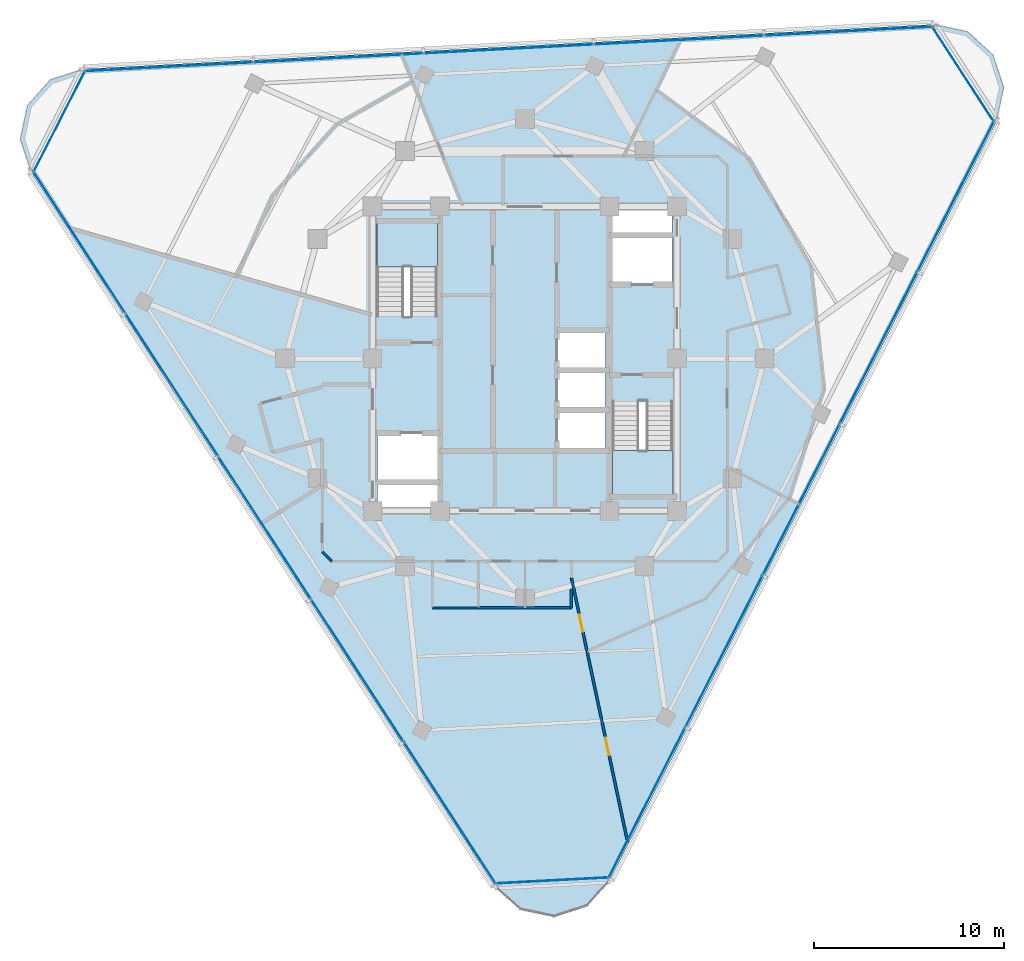
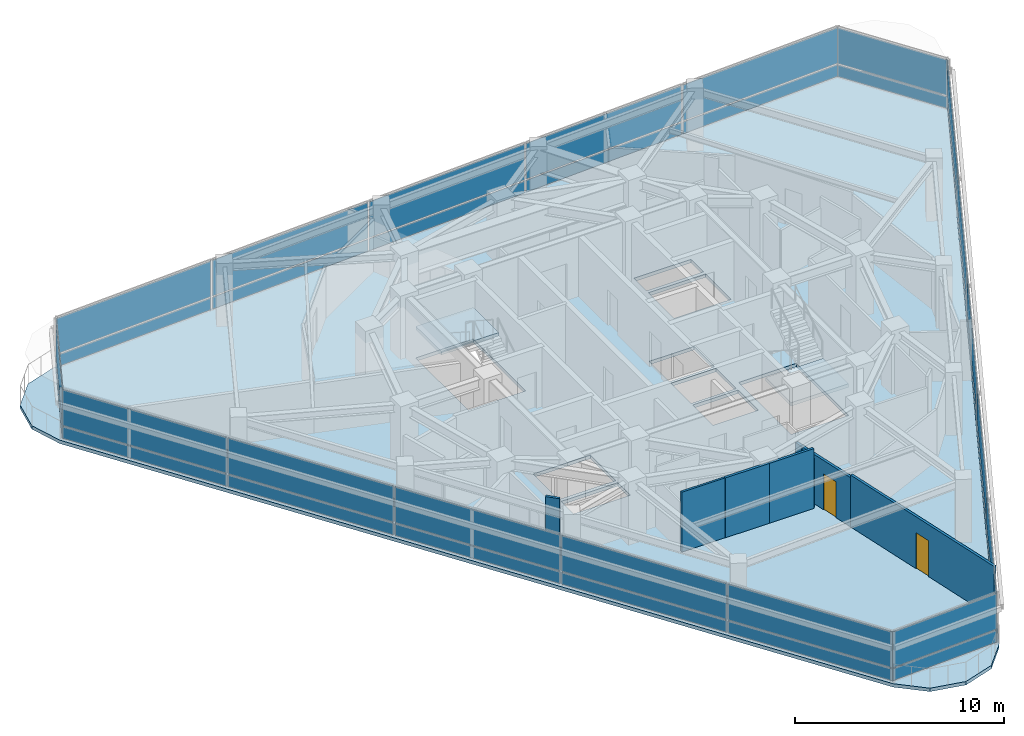
# One storey, part 7 of 15: 36 plates, 7 walls, 3 slabs, 2 doors, 2 openings, 8 elements without a shape of their own.
"""IFC4 building model written with IfcOpenShell, lengths in metres."""

from ifc_helpers import new_model, si_unit, direction, frame, frame_2d, origin, origin_2d, place, context, subcontext, project, spatial, polyline, rectangle, outline, extrude, material, layer, layer_set, type_object, element, fill, aggregate, save


model = new_model("IFC4")

# Units and contexts
model_context = context("Model", 3, precision=1e-05, world=origin(), true_north=direction((0.0, 1.0)))
body_context = subcontext(model_context, "Body", "Model", "MODEL_VIEW")
ifc_project = project(units=[si_unit("LENGTHUNIT", "METRE"), si_unit("AREAUNIT", "SQUARE_METRE"), si_unit("VOLUMEUNIT", "CUBIC_METRE"), si_unit("PLANEANGLEUNIT", "RADIAN"), si_unit("MASSUNIT", "GRAM", prefix="KILO")], contexts=[model_context])

# Site, building, storey
site_placement = place(None, origin())
site = spatial("IfcSite", under=ifc_project, at=site_placement, CompositionType="ELEMENT")
building_placement = place(site_placement, origin())
building = spatial("IfcBuilding", under=site, at=building_placement, Name="Terralouvre Media Tower", CompositionType="ELEMENT")
storey_placement = place(building_placement, frame((0.0, 0.0, 267.0)))
storey = spatial("IfcBuildingStorey", under=building, at=storey_placement, Name="L69", CompositionType="ELEMENT", Elevation=267.0)

# Slab
ifc_material_1 = material(Name="Concrete C40/50", Category="concrete")
ifc_layer_1 = layer(ifc_material_1, 0.199951171875, Name="Composite Tower Floor Slab S-TYP200")
ifc_layer_set_1 = layer_set([ifc_layer_1], Name="Concrete C40/50")
slab_type_1 = type_object("IfcSlabType", Name="Composite Tower Floor Slab S-TYP200", PredefinedType="FLOOR", material=ifc_layer_set_1)
slab_1_placement = place(storey_placement, frame((0.0, 0.0, -0.199951171875), z_axis=(0.0, 0.0, 1.0), x_axis=(0.45399049974, 0.891006524188, 0.0)))
element("IfcSlab", 1, at=slab_1_placement, inside=storey, type_object=slab_type_1, Name="L69 Structural Floor Slab", PredefinedType="FLOOR", context=body_context, shape_type="SweptSolid", body=[
    extrude(outline(polyline([(-25.43115234375, -11.1826171875), (-25.89990234375, -12.9326171875), (-25.43115234375, -14.6826171875), (-24.14990234375, -15.963623046875), (-22.39990234375, -16.4326171875), (22.39990234375, -16.4326171875), (24.14990234375, -15.963623046875), (25.43115234375, -14.6826171875), (25.89990234375, -12.9326171875), (25.43115234375, -11.1826171875), (3.031005859375, 27.615234375), (1.75, 28.896484375), (0.0, 29.365234375), (-1.75, 28.896484375), (-3.031005859375, 27.615234375), (-25.43115234375, -11.1826171875)]), holes=[polyline([(-7.968994140625, 1.102294921875), (-9.0380859375, 0.5576171875), (-10.46826171875, 3.3642578125), (-9.399169921875, 3.908935546875), (-7.968994140625, 1.102294921875)]), polyline([(-5.60791015625, 2.305419921875), (-7.790771484375, 1.193115234375), (-9.220947265625, 3.999755859375), (-7.037841796875, 5.112060546875), (-5.60791015625, 2.305419921875)]), polyline([(-4.38037109375, -7.39453125), (0.088134765625, -5.117919921875), (1.53173828125, -7.951171875), (-2.936767578125, -10.22802734375), (-4.38037109375, -7.39453125)]), polyline([(-0.547607421875, -5.048828125), (-2.276123046875, -5.9296875), (-3.4111328125, -3.7021484375), (-1.6826171875, -2.8212890625), (-0.547607421875, -5.048828125)]), polyline([(1.323486328125, -4.095458984375), (-0.405029296875, -4.976318359375), (-1.5400390625, -2.748779296875), (0.188720703125, -1.867919921875), (1.323486328125, -4.095458984375)]), polyline([(3.194580078125, -3.14208984375), (1.466064453125, -4.02294921875), (0.3310546875, -1.79541015625), (2.059814453125, -0.91455078125), (3.194580078125, -3.14208984375)]), polyline([(4.38037109375, 7.39453125), (-0.088134765625, 5.117919921875), (-1.53173828125, 7.951171875), (2.936767578125, 10.22802734375), (4.38037109375, 7.39453125)]), polyline([(7.037841796875, -5.112060546875), (5.60791015625, -2.305419921875), (7.790771484375, -1.193115234375), (9.220947265625, -3.999755859375), (7.037841796875, -5.112060546875)]), polyline([(9.399169921875, -3.908935546875), (7.968994140625, -1.102294921875), (9.0380859375, -0.5576171875), (10.46826171875, -3.3642578125), (9.399169921875, -3.908935546875)])]), origin(), (0.0, 0.0, 1.0), 0.199951171875),
])

# Stair, slab
ifc_material_2 = material(Name="Concrete C45/55", Category="concrete")
stair_type_1 = type_object("IfcStairType", Name="Dogleg Stair Assembly ST-01", PredefinedType="HALF_TURN_STAIR", material=ifc_material_2)
stair_1_placement = place(storey_placement, origin())
stair_1 = element("IfcStair", 2, at=stair_1_placement, inside=storey, type_object=stair_type_1, Name="L69 Core Pressurised Exit Stair ST-01", PredefinedType="HALF_TURN_STAIR")
ifc_material_3 = material(Name="Concrete C45/55", Category="concrete")
ifc_layer_2 = layer(ifc_material_3, 0.199951171875, Name="Reinforced Concrete Stair Half-Landing SL-LD1")
ifc_layer_set_2 = layer_set([ifc_layer_2], Name="Concrete C45/55")
slab_type_2 = type_object("IfcSlabType", Name="Reinforced Concrete Stair Half-Landing SL-LD1", PredefinedType="LANDING", material=ifc_layer_set_2)
slab_2_placement = place(storey_placement, frame((0.0, 0.0, 1.64990234375)))
slab_2 = element("IfcSlab", 3, at=slab_2_placement, type_object=slab_type_2, Name="ST-01 landing 1", PredefinedType="LANDING", context=body_context, shape_type="SweptSolid", body=[
    extrude(outline(polyline([(-4.60009765625, 4.820068359375), (-4.60009765625, 7.260009765625), (-7.780029296875, 7.260009765625), (-7.780029296875, 4.820068359375), (-4.60009765625, 4.820068359375)])), origin(), (0.0, 0.0, 1.0), 0.2001953125),
])
aggregate(stair_1, [slab_2])

ifc_material_4 = material(Name="Concrete C45/55", Category="concrete")
stair_type_2 = type_object("IfcStairType", Name="Dogleg Stair Assembly ST-02", PredefinedType="HALF_TURN_STAIR", material=ifc_material_4)
stair_2_placement = place(storey_placement, origin())
stair_2 = element("IfcStair", 4, at=stair_2_placement, inside=storey, type_object=stair_type_2, Name="L69 Core Pressurised Exit Stair ST-02", PredefinedType="HALF_TURN_STAIR")
slab_3_placement = place(storey_placement, frame((0.0, 0.0, 1.64990234375)))
slab_3 = element("IfcSlab", 5, at=slab_3_placement, type_object=slab_type_2, Name="ST-02 landing 1", PredefinedType="LANDING", context=body_context, shape_type="SweptSolid", body=[
    extrude(outline(polyline([(4.60009765625, -4.820068359375), (4.60009765625, -7.260009765625), (7.780029296875, -7.260009765625), (7.780029296875, -4.820068359375), (4.60009765625, -4.820068359375)])), origin(), (0.0, 0.0, 1.0), 0.2001953125),
])
aggregate(stair_2, [slab_3])

# Curtain wall, plates
ifc_material_5 = material(Name="Low-iron laminated double glazing with solar-control coating", Category="glass")
ifc_layer_3 = layer(ifc_material_5, 0.1650390625, Name="Rounded Wind-Corner Curved Glazing CW-04")
ifc_layer_set_3 = layer_set([ifc_layer_3], Name="Low-iron laminated double glazing with solar-control coating")
curtain_wall_type_1 = type_object("IfcCurtainWallType", Name="Rounded Wind-Corner Curved Glazing CW-04", PredefinedType="NOTDEFINED", material=ifc_layer_set_3)
curtain_wall_1_placement = place(storey_placement, origin())
curtain_wall_1 = element("IfcCurtainWall", 6, at=curtain_wall_1_placement, inside=storey, type_object=curtain_wall_type_1, Name="L69 Rounded Wind-Corner Curtain Wall C0", PredefinedType="NOTDEFINED")
ifc_material_6 = material(Name="Low-iron laminated double glazing with solar-control coating", Category="glass")
ifc_layer_4 = layer(ifc_material_6, 0.0400390625, Name="Rounded Corner Laminated Vision Panel CWP-03")
ifc_layer_set_4 = layer_set([ifc_layer_4], Name="Low-iron laminated double glazing with solar-control coating")
plate_type_1 = type_object("IfcPlateType", Name="Rounded Corner Laminated Vision Panel CWP-03", PredefinedType="CURTAIN_PANEL", material=ifc_layer_set_4)
plate_1_placement = place(storey_placement, frame((1.43798828125, -27.437744140625, 0.074951171875), z_axis=(0.0, 0.0, 1.0), x_axis=(0.998629533744, 0.05233597552, 0.0)))
plate_1 = element("IfcPlate", 7, at=plate_1_placement, type_object=plate_type_1, Name="CW-04 panel 1.1", PredefinedType="CURTAIN_PANEL", context=body_context, shape_type="SweptSolid", body=[
    extrude(rectangle(XDim=5.912109375, YDim=0.035888671875, at=origin_2d()), origin(), (0.0, 0.0, 1.0), 0.6875),
])
plate_2_placement = place(storey_placement, frame((1.43798828125, -27.437744140625, 0.837646484375), z_axis=(0.0, 0.0, 1.0), x_axis=(0.998629533744, 0.05233597552, 0.0)))
plate_2 = element("IfcPlate", 8, at=plate_2_placement, type_object=plate_type_1, Name="CW-04 panel 1.2", PredefinedType="CURTAIN_PANEL", context=body_context, shape_type="SweptSolid", body=[
    extrude(rectangle(XDim=5.912109375, YDim=0.035888671875, at=origin_2d()), origin(), (0.0, 0.0, 1.0), 2.08740234375),
])
aggregate(curtain_wall_1, [plate_1, plate_2])

curtain_wall_2_placement = place(storey_placement, origin())
curtain_wall_2 = element("IfcCurtainWall", 9, at=curtain_wall_2_placement, inside=storey, type_object=curtain_wall_type_1, Name="L69 Rounded Wind-Corner Curtain Wall C1", PredefinedType="NOTDEFINED")
plate_3_placement = place(storey_placement, frame((23.042724609375, 14.964111328125, 0.074951171875), z_axis=(0.0, 0.0, 1.0), x_axis=(-0.544639197097, 0.838670462688, 0.0)))
plate_3 = element("IfcPlate", 10, at=plate_3_placement, type_object=plate_type_1, Name="CW-04 panel 1.1", PredefinedType="CURTAIN_PANEL", context=body_context, shape_type="SweptSolid", body=[
    extrude(rectangle(XDim=5.912109375, YDim=0.035888671875, at=origin_2d()), origin(), (0.0, 0.0, 1.0), 0.6875),
])
plate_4_placement = place(storey_placement, frame((23.042724609375, 14.964111328125, 0.837646484375), z_axis=(0.0, 0.0, 1.0), x_axis=(-0.544639197097, 0.838670462688, 0.0)))
plate_4 = element("IfcPlate", 11, at=plate_4_placement, type_object=plate_type_1, Name="CW-04 panel 1.2", PredefinedType="CURTAIN_PANEL", context=body_context, shape_type="SweptSolid", body=[
    extrude(rectangle(XDim=5.912109375, YDim=0.035888671875, at=origin_2d()), origin(), (0.0, 0.0, 1.0), 2.08740234375),
])
aggregate(curtain_wall_2, [plate_3, plate_4])

curtain_wall_3_placement = place(storey_placement, origin())
curtain_wall_3 = element("IfcCurtainWall", 12, at=curtain_wall_3_placement, inside=storey, type_object=curtain_wall_type_1, Name="L69 Rounded Wind-Corner Curtain Wall C2", PredefinedType="NOTDEFINED")
plate_5_placement = place(storey_placement, frame((-24.480712890625, 12.4736328125, 0.074951171875), z_axis=(0.0, 0.0, 1.0), x_axis=(-0.453990349937, -0.891006600517, 0.0)))
plate_5 = element("IfcPlate", 13, at=plate_5_placement, type_object=plate_type_1, Name="CW-04 panel 1.1", PredefinedType="CURTAIN_PANEL", context=body_context, shape_type="SweptSolid", body=[
    extrude(rectangle(XDim=5.912109375, YDim=0.035888671875, at=origin_2d()), origin(), (0.0, 0.0, 1.0), 0.6875),
])
plate_6_placement = place(storey_placement, frame((-24.480712890625, 12.4736328125, 0.837646484375), z_axis=(0.0, 0.0, 1.0), x_axis=(-0.453990349937, -0.891006600517, 0.0)))
plate_6 = element("IfcPlate", 14, at=plate_6_placement, type_object=plate_type_1, Name="CW-04 panel 1.2", PredefinedType="CURTAIN_PANEL", context=body_context, shape_type="SweptSolid", body=[
    extrude(rectangle(XDim=5.912109375, YDim=0.035888671875, at=origin_2d()), origin(), (0.0, 0.0, 1.0), 2.08740234375),
])
aggregate(curtain_wall_3, [plate_5, plate_6])

ifc_material_7 = material(Name="Low-iron laminated double glazing with solar-control coating", Category="glass")
ifc_layer_5 = layer(ifc_material_7, 0.1650390625, Name="Upper Executive Tower Curtain Wall CW-05")
ifc_layer_set_5 = layer_set([ifc_layer_5], Name="Low-iron laminated double glazing with solar-control coating")
curtain_wall_type_2 = type_object("IfcCurtainWallType", Name="Upper Executive Tower Curtain Wall CW-05", PredefinedType="NOTDEFINED", material=ifc_layer_set_5)
curtain_wall_4_placement = place(storey_placement, origin())
curtain_wall_4 = element("IfcCurtainWall", 15, at=curtain_wall_4_placement, inside=storey, type_object=curtain_wall_type_2, Name="L69 Facade Curtain Wall F0", PredefinedType="NOTDEFINED")
ifc_material_8 = material(Name="Low-iron laminated double glazing with solar-control coating", Category="glass")
ifc_layer_6 = layer(ifc_material_8, 0.035888671875, Name="Vision Double-Glazed Unit CWP-01")
ifc_layer_set_6 = layer_set([ifc_layer_6], Name="Low-iron laminated double glazing with solar-control coating")
plate_type_2 = type_object("IfcPlateType", Name="Vision Double-Glazed Unit CWP-01", PredefinedType="CURTAIN_PANEL", material=ifc_layer_set_6)
plate_7_placement = place(storey_placement, frame((6.40771484375, -23.35595703125, 0.074951171875), z_axis=(0.0, 0.0, 1.0), x_axis=(0.45399044259, 0.891006553308, 0.0)))
plate_7 = element("IfcPlate", 16, at=plate_7_placement, type_object=plate_type_2, Name="CW-05 panel 1.1", PredefinedType="CURTAIN_PANEL", context=body_context, shape_type="SweptSolid", body=[
    extrude(rectangle(XDim=8.847412109375, YDim=0.035888671875, at=origin_2d()), origin(), (0.0, 0.0, 1.0), 0.6875),
])
plate_8_placement = place(storey_placement, frame((6.40771484375, -23.35595703125, 0.837646484375), z_axis=(0.0, 0.0, 1.0), x_axis=(0.45399044259, 0.891006553308, 0.0)))
plate_8 = element("IfcPlate", 17, at=plate_8_placement, type_object=plate_type_2, Name="CW-05 panel 1.2", PredefinedType="CURTAIN_PANEL", context=body_context, shape_type="SweptSolid", body=[
    extrude(rectangle(XDim=8.847412109375, YDim=0.035888671875, at=origin_2d()), origin(), (0.0, 0.0, 1.0), 2.08740234375),
])
plate_9_placement = place(storey_placement, frame((10.467041015625, -15.38916015625, 0.074951171875), z_axis=(0.0, 0.0, 1.0), x_axis=(0.45399044259, 0.891006553308, 0.0)))
plate_9 = element("IfcPlate", 18, at=plate_9_placement, type_object=plate_type_2, Name="CW-05 panel 2.1", PredefinedType="CURTAIN_PANEL", context=body_context, shape_type="SweptSolid", body=[
    extrude(rectangle(XDim=8.885009765625, YDim=0.035888671875, at=origin_2d()), origin(), (0.0, 0.0, 1.0), 0.6875),
])
plate_10_placement = place(storey_placement, frame((10.467041015625, -15.38916015625, 0.837646484375), z_axis=(0.0, 0.0, 1.0), x_axis=(0.45399044259, 0.891006553308, 0.0)))
plate_10 = element("IfcPlate", 19, at=plate_10_placement, type_object=plate_type_2, Name="CW-05 panel 2.2", PredefinedType="CURTAIN_PANEL", context=body_context, shape_type="SweptSolid", body=[
    extrude(rectangle(XDim=8.885009765625, YDim=0.035888671875, at=origin_2d()), origin(), (0.0, 0.0, 1.0), 2.08740234375),
])
plate_11_placement = place(storey_placement, frame((14.53466796875, -7.40576171875, 0.074951171875), z_axis=(0.0, 0.0, 1.0), x_axis=(0.45399044259, 0.891006553308, 0.0)))
plate_11 = element("IfcPlate", 20, at=plate_11_placement, type_object=plate_type_2, Name="CW-05 panel 3.1", PredefinedType="CURTAIN_PANEL", context=body_context, shape_type="SweptSolid", body=[
    extrude(rectangle(XDim=8.885009765625, YDim=0.035888671875, at=origin_2d()), origin(), (0.0, 0.0, 1.0), 0.6875),
])
plate_12_placement = place(storey_placement, frame((14.53466796875, -7.40576171875, 0.837646484375), z_axis=(0.0, 0.0, 1.0), x_axis=(0.45399044259, 0.891006553308, 0.0)))
plate_12 = element("IfcPlate", 21, at=plate_12_placement, type_object=plate_type_2, Name="CW-05 panel 3.2", PredefinedType="CURTAIN_PANEL", context=body_context, shape_type="SweptSolid", body=[
    extrude(rectangle(XDim=8.885009765625, YDim=0.035888671875, at=origin_2d()), origin(), (0.0, 0.0, 1.0), 2.08740234375),
])
plate_13_placement = place(storey_placement, frame((18.6025390625, 0.57763671875, 0.074951171875), z_axis=(0.0, 0.0, 1.0), x_axis=(0.45399044259, 0.891006553308, 0.0)))
plate_13 = element("IfcPlate", 22, at=plate_13_placement, type_object=plate_type_2, Name="CW-05 panel 4.1", PredefinedType="CURTAIN_PANEL", context=body_context, shape_type="SweptSolid", body=[
    extrude(rectangle(XDim=8.885009765625, YDim=0.035888671875, at=origin_2d()), origin(), (0.0, 0.0, 1.0), 0.6875),
])
plate_14_placement = place(storey_placement, frame((18.6025390625, 0.57763671875, 0.837646484375), z_axis=(0.0, 0.0, 1.0), x_axis=(0.45399044259, 0.891006553308, 0.0)))
plate_14 = element("IfcPlate", 23, at=plate_14_placement, type_object=plate_type_2, Name="CW-05 panel 4.2", PredefinedType="CURTAIN_PANEL", context=body_context, shape_type="SweptSolid", body=[
    extrude(rectangle(XDim=8.885009765625, YDim=0.035888671875, at=origin_2d()), origin(), (0.0, 0.0, 1.0), 2.08740234375),
])
plate_15_placement = place(storey_placement, frame((22.66162109375, 8.54443359375, 0.074951171875), z_axis=(0.0, 0.0, 1.0), x_axis=(0.45399044259, 0.891006553308, 0.0)))
plate_15 = element("IfcPlate", 24, at=plate_15_placement, type_object=plate_type_2, Name="CW-05 panel 5.1", PredefinedType="CURTAIN_PANEL", context=body_context, shape_type="SweptSolid", body=[
    extrude(rectangle(XDim=8.847412109375, YDim=0.035888671875, at=origin_2d()), origin(), (0.0, 0.0, 1.0), 0.6875),
])
plate_16_placement = place(storey_placement, frame((22.66162109375, 8.54443359375, 0.837646484375), z_axis=(0.0, 0.0, 1.0), x_axis=(0.45399044259, 0.891006553308, 0.0)))
plate_16 = element("IfcPlate", 25, at=plate_16_placement, type_object=plate_type_2, Name="CW-05 panel 5.2", PredefinedType="CURTAIN_PANEL", context=body_context, shape_type="SweptSolid", body=[
    extrude(rectangle(XDim=8.847412109375, YDim=0.035888671875, at=origin_2d()), origin(), (0.0, 0.0, 1.0), 2.08740234375),
])
aggregate(curtain_wall_4, [plate_7, plate_8, plate_9, plate_10, plate_11, plate_12, plate_13, plate_14, plate_15, plate_16])

curtain_wall_5_placement = place(storey_placement, origin())
curtain_wall_5 = element("IfcCurtainWall", 26, at=curtain_wall_5_placement, inside=storey, type_object=curtain_wall_type_2, Name="L69 Facade Curtain Wall F1", PredefinedType="NOTDEFINED")
plate_17_placement = place(storey_placement, frame((17.02294921875, 17.22705078125, 0.074951171875), z_axis=(0.0, 0.0, 1.0), x_axis=(-0.998629523875, -0.052336163844, 0.0)))
plate_17 = element("IfcPlate", 27, at=plate_17_placement, type_object=plate_type_2, Name="CW-05 panel 1.1", PredefinedType="CURTAIN_PANEL", context=body_context, shape_type="SweptSolid", body=[
    extrude(rectangle(XDim=8.847412109375, YDim=0.035888671875, at=origin_2d()), origin(), (0.0, 0.0, 1.0), 0.6875),
])
plate_18_placement = place(storey_placement, frame((17.02294921875, 17.22705078125, 0.837646484375), z_axis=(0.0, 0.0, 1.0), x_axis=(-0.998629523875, -0.052336163844, 0.0)))
plate_18 = element("IfcPlate", 28, at=plate_18_placement, type_object=plate_type_2, Name="CW-05 panel 1.2", PredefinedType="CURTAIN_PANEL", context=body_context, shape_type="SweptSolid", body=[
    extrude(rectangle(XDim=8.847412109375, YDim=0.035888671875, at=origin_2d()), origin(), (0.0, 0.0, 1.0), 2.08740234375),
])
plate_19_placement = place(storey_placement, frame((8.093994140625, 16.75927734375, 0.074951171875), z_axis=(0.0, 0.0, 1.0), x_axis=(-0.998629523875, -0.052336163844, 0.0)))
plate_19 = element("IfcPlate", 29, at=plate_19_placement, type_object=plate_type_2, Name="CW-05 panel 2.1", PredefinedType="CURTAIN_PANEL", context=body_context, shape_type="SweptSolid", body=[
    extrude(rectangle(XDim=8.885009765625, YDim=0.035888671875, at=origin_2d()), origin(), (0.0, 0.0, 1.0), 0.6875),
])
plate_20_placement = place(storey_placement, frame((8.093994140625, 16.75927734375, 0.837646484375), z_axis=(0.0, 0.0, 1.0), x_axis=(-0.998629523875, -0.052336163844, 0.0)))
plate_20 = element("IfcPlate", 30, at=plate_20_placement, type_object=plate_type_2, Name="CW-05 panel 2.2", PredefinedType="CURTAIN_PANEL", context=body_context, shape_type="SweptSolid", body=[
    extrude(rectangle(XDim=8.885009765625, YDim=0.035888671875, at=origin_2d()), origin(), (0.0, 0.0, 1.0), 2.08740234375),
])
plate_21_placement = place(storey_placement, frame((-0.853759765625, 16.290283203125, 0.074951171875), z_axis=(0.0, 0.0, 1.0), x_axis=(-0.998629523875, -0.052336163844, 0.0)))
plate_21 = element("IfcPlate", 31, at=plate_21_placement, type_object=plate_type_2, Name="CW-05 panel 3.1", PredefinedType="CURTAIN_PANEL", context=body_context, shape_type="SweptSolid", body=[
    extrude(rectangle(XDim=8.885009765625, YDim=0.035888671875, at=origin_2d()), origin(), (0.0, 0.0, 1.0), 0.6875),
])
plate_22_placement = place(storey_placement, frame((-0.853759765625, 16.290283203125, 0.837646484375), z_axis=(0.0, 0.0, 1.0), x_axis=(-0.998629523875, -0.052336163844, 0.0)))
plate_22 = element("IfcPlate", 32, at=plate_22_placement, type_object=plate_type_2, Name="CW-05 panel 3.2", PredefinedType="CURTAIN_PANEL", context=body_context, shape_type="SweptSolid", body=[
    extrude(rectangle(XDim=8.885009765625, YDim=0.035888671875, at=origin_2d()), origin(), (0.0, 0.0, 1.0), 2.08740234375),
])
plate_23_placement = place(storey_placement, frame((-9.801513671875, 15.8212890625, 0.074951171875), z_axis=(0.0, 0.0, 1.0), x_axis=(-0.998629523875, -0.052336163844, 0.0)))
plate_23 = element("IfcPlate", 33, at=plate_23_placement, type_object=plate_type_2, Name="CW-05 panel 4.1", PredefinedType="CURTAIN_PANEL", context=body_context, shape_type="SweptSolid", body=[
    extrude(rectangle(XDim=8.885009765625, YDim=0.035888671875, at=origin_2d()), origin(), (0.0, 0.0, 1.0), 0.6875),
])
plate_24_placement = place(storey_placement, frame((-9.801513671875, 15.8212890625, 0.837646484375), z_axis=(0.0, 0.0, 1.0), x_axis=(-0.998629523875, -0.052336163844, 0.0)))
plate_24 = element("IfcPlate", 34, at=plate_24_placement, type_object=plate_type_2, Name="CW-05 panel 4.2", PredefinedType="CURTAIN_PANEL", context=body_context, shape_type="SweptSolid", body=[
    extrude(rectangle(XDim=8.885009765625, YDim=0.035888671875, at=origin_2d()), origin(), (0.0, 0.0, 1.0), 2.08740234375),
])
plate_25_placement = place(storey_placement, frame((-18.73046875, 15.353515625, 0.074951171875), z_axis=(0.0, 0.0, 1.0), x_axis=(-0.998629523875, -0.052336163844, 0.0)))
plate_25 = element("IfcPlate", 35, at=plate_25_placement, type_object=plate_type_2, Name="CW-05 panel 5.1", PredefinedType="CURTAIN_PANEL", context=body_context, shape_type="SweptSolid", body=[
    extrude(rectangle(XDim=8.847412109375, YDim=0.035888671875, at=origin_2d()), origin(), (0.0, 0.0, 1.0), 0.6875),
])
plate_26_placement = place(storey_placement, frame((-18.73046875, 15.353515625, 0.837646484375), z_axis=(0.0, 0.0, 1.0), x_axis=(-0.998629523875, -0.052336163844, 0.0)))
plate_26 = element("IfcPlate", 36, at=plate_26_placement, type_object=plate_type_2, Name="CW-05 panel 5.2", PredefinedType="CURTAIN_PANEL", context=body_context, shape_type="SweptSolid", body=[
    extrude(rectangle(XDim=8.847412109375, YDim=0.035888671875, at=origin_2d()), origin(), (0.0, 0.0, 1.0), 2.08740234375),
])
aggregate(curtain_wall_5, [plate_17, plate_18, plate_19, plate_20, plate_21, plate_22, plate_23, plate_24, plate_25, plate_26])

curtain_wall_6_placement = place(storey_placement, origin())
curtain_wall_6 = element("IfcCurtainWall", 37, at=curtain_wall_6_placement, inside=storey, type_object=curtain_wall_type_2, Name="L69 Facade Curtain Wall F2", PredefinedType="NOTDEFINED")
plate_27_placement = place(storey_placement, frame((-23.4306640625, 6.128662109375, 0.074951171875), z_axis=(0.0, 0.0, 1.0), x_axis=(0.544639069077, -0.838670545826, 0.0)))
plate_27 = element("IfcPlate", 38, at=plate_27_placement, type_object=plate_type_2, Name="CW-05 panel 1.1", PredefinedType="CURTAIN_PANEL", context=body_context, shape_type="SweptSolid", body=[
    extrude(rectangle(XDim=8.847412109375, YDim=0.035888671875, at=origin_2d()), origin(), (0.0, 0.0, 1.0), 0.6875),
])
plate_28_placement = place(storey_placement, frame((-23.4306640625, 6.128662109375, 0.837646484375), z_axis=(0.0, 0.0, 1.0), x_axis=(0.544639069077, -0.838670545826, 0.0)))
plate_28 = element("IfcPlate", 39, at=plate_28_placement, type_object=plate_type_2, Name="CW-05 panel 1.2", PredefinedType="CURTAIN_PANEL", context=body_context, shape_type="SweptSolid", body=[
    extrude(rectangle(XDim=8.847412109375, YDim=0.035888671875, at=origin_2d()), origin(), (0.0, 0.0, 1.0), 2.08740234375),
])
plate_29_placement = place(storey_placement, frame((-18.560791015625, -1.3701171875, 0.074951171875), z_axis=(0.0, 0.0, 1.0), x_axis=(0.544639069077, -0.838670545826, 0.0)))
plate_29 = element("IfcPlate", 40, at=plate_29_placement, type_object=plate_type_2, Name="CW-05 panel 2.1", PredefinedType="CURTAIN_PANEL", context=body_context, shape_type="SweptSolid", body=[
    extrude(rectangle(XDim=8.885009765625, YDim=0.035888671875, at=origin_2d()), origin(), (0.0, 0.0, 1.0), 0.6875),
])
plate_30_placement = place(storey_placement, frame((-18.560791015625, -1.3701171875, 0.837646484375), z_axis=(0.0, 0.0, 1.0), x_axis=(0.544639069077, -0.838670545826, 0.0)))
plate_30 = element("IfcPlate", 41, at=plate_30_placement, type_object=plate_type_2, Name="CW-05 panel 2.2", PredefinedType="CURTAIN_PANEL", context=body_context, shape_type="SweptSolid", body=[
    extrude(rectangle(XDim=8.885009765625, YDim=0.035888671875, at=origin_2d()), origin(), (0.0, 0.0, 1.0), 2.08740234375),
])
plate_31_placement = place(storey_placement, frame((-13.680908203125, -8.884521484375, 0.074951171875), z_axis=(0.0, 0.0, 1.0), x_axis=(0.544639069077, -0.838670545826, 0.0)))
plate_31 = element("IfcPlate", 42, at=plate_31_placement, type_object=plate_type_2, Name="CW-05 panel 3.1", PredefinedType="CURTAIN_PANEL", context=body_context, shape_type="SweptSolid", body=[
    extrude(rectangle(XDim=8.885009765625, YDim=0.035888671875, at=origin_2d()), origin(), (0.0, 0.0, 1.0), 0.6875),
])
plate_32_placement = place(storey_placement, frame((-13.680908203125, -8.884521484375, 0.837646484375), z_axis=(0.0, 0.0, 1.0), x_axis=(0.544639069077, -0.838670545826, 0.0)))
plate_32 = element("IfcPlate", 43, at=plate_32_placement, type_object=plate_type_2, Name="CW-05 panel 3.2", PredefinedType="CURTAIN_PANEL", context=body_context, shape_type="SweptSolid", body=[
    extrude(rectangle(XDim=8.885009765625, YDim=0.035888671875, at=origin_2d()), origin(), (0.0, 0.0, 1.0), 2.08740234375),
])
plate_33_placement = place(storey_placement, frame((-8.801025390625, -16.39892578125, 0.074951171875), z_axis=(0.0, 0.0, 1.0), x_axis=(0.544639069077, -0.838670545826, 0.0)))
plate_33 = element("IfcPlate", 44, at=plate_33_placement, type_object=plate_type_2, Name="CW-05 panel 4.1", PredefinedType="CURTAIN_PANEL", context=body_context, shape_type="SweptSolid", body=[
    extrude(rectangle(XDim=8.885009765625, YDim=0.035888671875, at=origin_2d()), origin(), (0.0, 0.0, 1.0), 0.6875),
])
plate_34_placement = place(storey_placement, frame((-8.801025390625, -16.39892578125, 0.837646484375), z_axis=(0.0, 0.0, 1.0), x_axis=(0.544639069077, -0.838670545826, 0.0)))
plate_34 = element("IfcPlate", 45, at=plate_34_placement, type_object=plate_type_2, Name="CW-05 panel 4.2", PredefinedType="CURTAIN_PANEL", context=body_context, shape_type="SweptSolid", body=[
    extrude(rectangle(XDim=8.885009765625, YDim=0.035888671875, at=origin_2d()), origin(), (0.0, 0.0, 1.0), 2.08740234375),
])
plate_35_placement = place(storey_placement, frame((-3.93115234375, -23.897705078125, 0.074951171875), z_axis=(0.0, 0.0, 1.0), x_axis=(0.544639069077, -0.838670545826, 0.0)))
plate_35 = element("IfcPlate", 46, at=plate_35_placement, type_object=plate_type_2, Name="CW-05 panel 5.1", PredefinedType="CURTAIN_PANEL", context=body_context, shape_type="SweptSolid", body=[
    extrude(rectangle(XDim=8.847412109375, YDim=0.035888671875, at=origin_2d()), origin(), (0.0, 0.0, 1.0), 0.6875),
])
plate_36_placement = place(storey_placement, frame((-3.93115234375, -23.897705078125, 0.837646484375), z_axis=(0.0, 0.0, 1.0), x_axis=(0.544639069077, -0.838670545826, 0.0)))
plate_36 = element("IfcPlate", 47, at=plate_36_placement, type_object=plate_type_2, Name="CW-05 panel 5.2", PredefinedType="CURTAIN_PANEL", context=body_context, shape_type="SweptSolid", body=[
    extrude(rectangle(XDim=8.847412109375, YDim=0.035888671875, at=origin_2d()), origin(), (0.0, 0.0, 1.0), 2.08740234375),
])
aggregate(curtain_wall_6, [plate_27, plate_28, plate_29, plate_30, plate_31, plate_32, plate_33, plate_34, plate_35, plate_36])

# Walls
ifc_material_9 = material(Name="Fire-rated gypsum board drywall partition")
ifc_layer_7 = layer(ifc_material_9, 0.135009765625, Name="Newsroom Acoustic Partition PT-135")
ifc_layer_set_7 = layer_set([ifc_layer_7], Name="Fire-rated gypsum board drywall partition")
wall_type_1 = type_object("IfcWallType", Name="Newsroom Acoustic Partition PT-135", PredefinedType="PARTITIONING", material=ifc_layer_set_7)
wall_1_placement = place(storey_placement, frame((-10.64990234375, -10.14990234375, 0.0), z_axis=(0.0, 0.0, 1.0), x_axis=(0.707106781187, -0.707106781187, 0.0)))
element("IfcWall", 48, at=wall_1_placement, inside=storey, type_object=wall_type_1, Name="L69 Interior Partition 015", PredefinedType="PARTITIONING", context=body_context, shape_type="SweptSolid", body=[
    extrude(rectangle(XDim=0.70703125, YDim=0.135009765625, at=frame_2d((0.353515625, 0.0))), origin(), (0.0, 0.0, 1.0), 3.5),
])
wall_2_placement = place(storey_placement, frame((0.0, -13.10009765625, 0.0), z_axis=(0.0, 0.0, 1.0), x_axis=(-1.0, 0.0, 0.0)))
element("IfcWall", 49, at=wall_2_placement, inside=storey, type_object=wall_type_1, Name="L69 Interior Partition 036", PredefinedType="PARTITIONING", context=body_context, shape_type="SweptSolid", body=[
    extrude(rectangle(XDim=2.449951171875, YDim=0.135009765625, at=frame_2d((1.22509765625, 0.0))), origin(), (0.0, 0.0, 1.0), 3.5),
])
wall_3_placement = place(storey_placement, frame((2.449951171875, -12.103271484375, 0.0), z_axis=(0.0, 0.0, 1.0), x_axis=(0.0, -1.0, 0.0)))
element("IfcWall", 50, at=wall_3_placement, inside=storey, type_object=wall_type_1, Name="L69 Interior Partition 037", PredefinedType="PARTITIONING", context=body_context, shape_type="SweptSolid", body=[
    extrude(rectangle(XDim=0.996826171875, YDim=0.135009765625, at=frame_2d((0.49853515625, 0.0))), origin(), (0.0, 0.0, 1.0), 2.885009765625),
])
wall_4_placement = place(storey_placement, frame((2.449951171875, -13.10009765625, 0.0), z_axis=(0.0, 0.0, 1.0), x_axis=(-1.0, 0.0, 0.0)))
element("IfcWall", 51, at=wall_4_placement, inside=storey, type_object=wall_type_1, Name="L69 Interior Partition 038", PredefinedType="PARTITIONING", context=body_context, shape_type="SweptSolid", body=[
    extrude(rectangle(XDim=2.449951171875, YDim=0.135009765625, at=frame_2d((1.22509765625, 0.0))), origin(), (0.0, 0.0, 1.0), 3.5),
])

# Wall, opening, door
wall_5_placement = place(storey_placement, frame((5.402099609375, -25.417236328125, 0.0), z_axis=(0.0, 0.0, 1.0), x_axis=(-0.207847958891, 0.978161145203, 0.0)))
wall_5 = element("IfcWall", 52, at=wall_5_placement, inside=storey, type_object=wall_type_1, Name="L69 Interior Partition 039", PredefinedType="PARTITIONING", context=body_context, shape_type="SweptSolid", body=[
    extrude(rectangle(XDim=10.276611328125, YDim=0.135009765625, at=frame_2d((5.13818359375, 0.0))), origin(), (0.0, 0.0, 1.0), 3.034912109375),
])
opening_1_placement = place(wall_5_placement, frame((4.678466796875, 0.0, 0.0)))
opening_1 = element("IfcOpeningElement", 53, at=opening_1_placement, cuts=wall_5, Name="Opening ID-03-92X210", PredefinedType="OPENING", context=body_context, shape_type="SweptSolid", body=[
    extrude(rectangle(XDim=0.919921875, YDim=2.10009765625, at=frame_2d((0.4599609375, 1.050048828125))), frame((0.0, 0.077392578125, 0.0), z_axis=(0.0, -1.0, 0.0), x_axis=(1.0, 0.0, 0.0)), (0.0, 0.0, 1.0), 0.155029296875),
])
ifc_material_10 = material(Name="Engineered hardwood acoustic timber leaf", Category="wood")
door_type = type_object("IfcDoorType", Name="Accessible Restroom and Suite Door ID-03 (920x2100)", OperationType="NOTDEFINED", PredefinedType="DOOR", material=ifc_material_10)
door_1_placement = place(opening_1_placement, origin())
door_1 = element("IfcDoor", 54, at=door_1_placement, inside=storey, type_object=door_type, Name="L69 Press Kit Closet 4 Door", OperationType="SINGLE_SWING_LEFT", OverallHeight=2.10009765625, OverallWidth=0.919921875, PredefinedType="DOOR", context=body_context, shape_type="SweptSolid", body=[
    extrude(rectangle(XDim=0.919921875, YDim=2.10009765625, at=frame_2d((0.4599609375, 1.050048828125))), frame((0.0, 0.02490234375, 0.0), z_axis=(0.0, -1.0, 0.0), x_axis=(1.0, 0.0, 0.0)), (0.0, 0.0, 1.0), 0.050048828125),
])
fill(opening_1, door_1)

wall_6_placement = place(storey_placement, frame((3.26611328125, -15.364990234375, 0.0), z_axis=(0.0, 0.0, 1.0), x_axis=(-0.207944308429, 0.978140667078, 0.0)))
wall_6 = element("IfcWall", 55, at=wall_6_placement, inside=storey, type_object=wall_type_1, Name="L69 Interior Partition 040", PredefinedType="PARTITIONING", context=body_context, shape_type="SweptSolid", body=[
    extrude(rectangle(XDim=3.9248046875, YDim=0.135009765625, at=frame_2d((1.96240234375, 0.0))), origin(), (0.0, 0.0, 1.0), 2.885009765625),
])
opening_2_placement = place(wall_6_placement, frame((1.031494140625, 0.0, 0.0)))
opening_2 = element("IfcOpeningElement", 56, at=opening_2_placement, cuts=wall_6, Name="Opening ID-03-92X210", PredefinedType="OPENING", context=body_context, shape_type="SweptSolid", body=[
    extrude(rectangle(XDim=0.919921875, YDim=2.10009765625, at=frame_2d((0.4599609375, 1.050048828125))), frame((0.0, 0.077392578125, 0.0), z_axis=(0.0, -1.0, 0.0), x_axis=(1.0, 0.0, 0.0)), (0.0, 0.0, 1.0), 0.155029296875),
])
door_2_placement = place(opening_2_placement, origin())
door_2 = element("IfcDoor", 57, at=door_2_placement, inside=storey, type_object=door_type, Name="L69 Live Wire Newsroom Open Office 5 Door", OperationType="SINGLE_SWING_RIGHT", OverallHeight=2.10009765625, OverallWidth=0.919921875, PredefinedType="DOOR", context=body_context, shape_type="SweptSolid", body=[
    extrude(rectangle(XDim=0.919921875, YDim=2.10009765625, at=frame_2d((0.4599609375, 1.050048828125))), frame((0.0, 0.02490234375, 0.0), z_axis=(0.0, -1.0, 0.0), x_axis=(1.0, 0.0, 0.0)), (0.0, 0.0, 1.0), 0.050048828125),
])
fill(opening_2, door_2)

# Wall
ifc_material_11 = material(Name="Fire-rated gypsum board drywall partition")
ifc_layer_8 = layer(ifc_material_11, 0.114990234375, Name="Restroom and Pantry Partition PT-115")
ifc_layer_set_8 = layer_set([ifc_layer_8], Name="Fire-rated gypsum board drywall partition")
wall_type_2 = type_object("IfcWallType", Name="Restroom and Pantry Partition PT-115", PredefinedType="PARTITIONING", material=ifc_layer_set_8)
wall_7_placement = place(storey_placement, frame((-4.85009765625, -13.10009765625, 0.0), z_axis=(0.0, 0.0, 1.0), x_axis=(1.0, 0.0, 0.0)))
element("IfcWall", 58, at=wall_7_placement, inside=storey, type_object=wall_type_2, Name="L69 Interior Partition 034", PredefinedType="PARTITIONING", context=body_context, shape_type="SweptSolid", body=[
    extrude(rectangle(XDim=2.400146484375, YDim=0.114990234375, at=frame_2d((1.2001953125, 0.0))), origin(), (0.0, 0.0, 1.0), 3.5),
])

save(model, "model.ifc")
